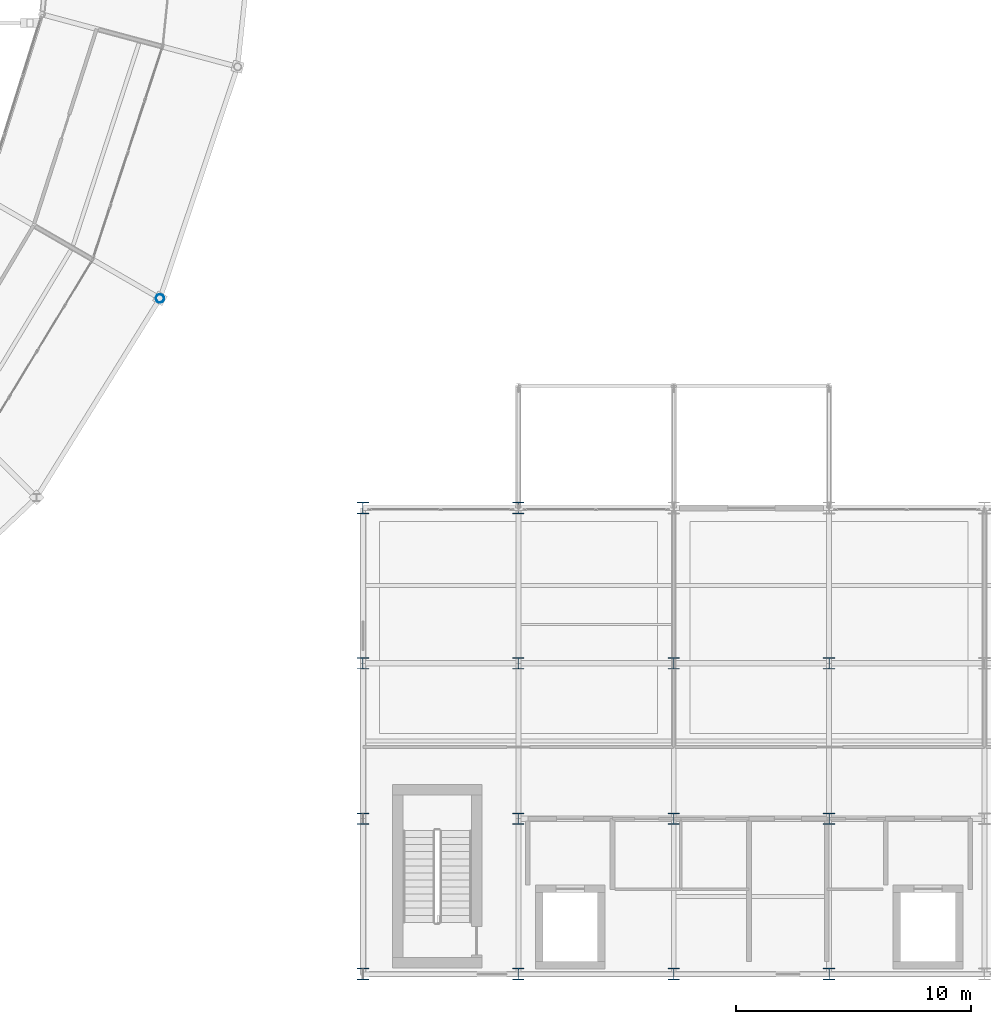
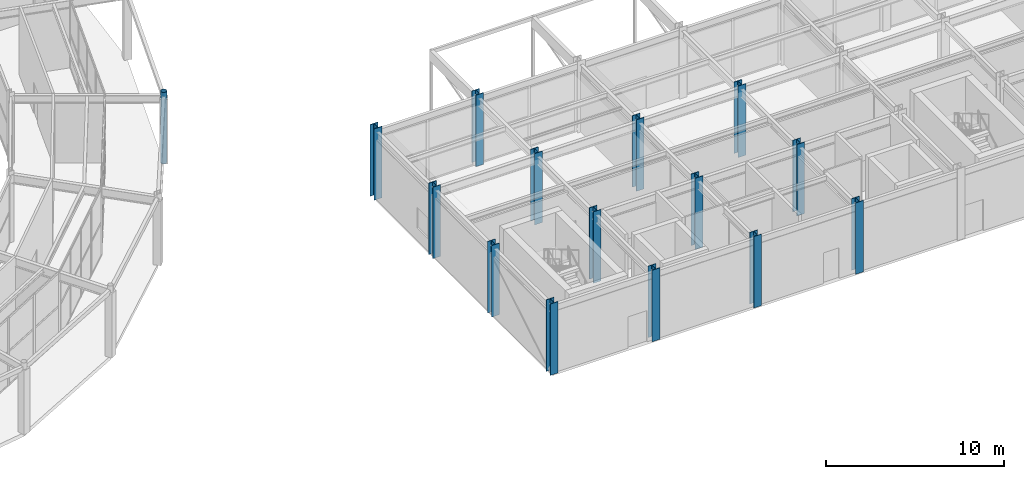
# One storey, part 7 of 144: 15 columns.
"""IFC4 building model written with IfcOpenShell, lengths in metres."""

from ifc_helpers import new_model, si_unit, direction, frame, origin, origin_2d, place, context, subcontext, project, spatial, hollow_circle, i_section, extrude, material, material_profile, profile_set, type_object, element, save


model = new_model("IFC4")

# Units and contexts
model_context = context("Model", 3, precision=1e-05, world=origin(), true_north=direction((0.0, 1.0)))
body_context = subcontext(model_context, "Body", "Model", "MODEL_VIEW")
ifc_project = project(units=[si_unit("LENGTHUNIT", "METRE"), si_unit("AREAUNIT", "SQUARE_METRE"), si_unit("VOLUMEUNIT", "CUBIC_METRE"), si_unit("PLANEANGLEUNIT", "RADIAN"), si_unit("MASSUNIT", "GRAM", prefix="KILO")], contexts=[model_context])

# Site, building, storey
site_placement = place(None, origin())
site = spatial("IfcSite", under=ifc_project, at=site_placement, CompositionType="ELEMENT")
building_placement = place(site_placement, origin())
building = spatial("IfcBuilding", under=site, at=building_placement, Name="Karori Crest Natural Sciences Institute", CompositionType="ELEMENT")
storey_placement = place(building_placement, origin())
storey = spatial("IfcBuildingStorey", under=building, at=storey_placement, Name="L00", CompositionType="ELEMENT", Elevation=0.0)

# Columns
ifc_material_1 = material(Name="Structural steel AS/NZS 3679.1 Grade 350", Category="steel")
ifc_material_profile_1 = material_profile(ifc_material_1, i_section(OverallWidth=0.5, OverallDepth=0.5, WebThickness=0.02197265625, FlangeThickness=0.0400390625, FilletRadius=0.01611328125, at=origin_2d()), Name="500WC440")
ifc_profile_set_1 = profile_set([ifc_material_profile_1], Name="Structural steel AS/NZS 3679.1 Grade 350")
column_type_1 = type_object("IfcColumnType", Name="CT-01", PredefinedType="COLUMN", material=ifc_profile_set_1)
for number, where, z_axis, x_axis, name in (
    (1, (110.199951171875, 7.39990234375, 0.0), (0.0, 0.0, 1.0), (1.0, 0.0, 0.0), "Column C-1078"),
    (2, (110.199951171875, 14.0, 0.0), (0.0, 0.0, 1.0), (1.0, 0.0, 0.0), "Column C-1090"),
    (3, (116.800048828125, 7.39990234375, 0.0), (0.0, 0.0, 1.0), (1.0, 0.0, 0.0), "Column C-1126"),
    (4, (116.800048828125, 14.0, 0.0), (0.0, 0.0, 1.0), (1.0, 0.0, 0.0), "Column C-1138"),
    (5, (123.39990234375, 7.39990234375, 0.0), (0.0, 0.0, 1.0), (1.0, 0.0, 0.0), "Column C-1174"),
    (6, (123.39990234375, 14.0, 0.0), (0.0, 0.0, 1.0), (1.0, 0.0, 0.0), "Column C-1186"),
):
    element("IfcColumn", number, at=place(storey_placement, frame(where, z_axis=z_axis, x_axis=x_axis)), inside=storey, type_object=column_type_1, Name=name, PredefinedType="COLUMN", context=body_context, shape_type="SweptSolid", body=[
        extrude(i_section(OverallWidth=0.5, OverallDepth=0.5, WebThickness=0.02197265625, FlangeThickness=0.0400390625, FilletRadius=0.01611328125, at=origin_2d()), origin(), (0.0, 0.0, 1.0), 4.89990234375),
    ])
ifc_material_profile_2 = material_profile(ifc_material_1, i_section(OverallWidth=0.5, OverallDepth=0.5, WebThickness=0.02197265625, FlangeThickness=0.0400390625, FilletRadius=0.01611328125, at=origin_2d()), Name="500WC440")
ifc_profile_set_2 = profile_set([ifc_material_profile_2], Name="Structural steel AS/NZS 3679.1 Grade 350")
column_type_2 = type_object("IfcColumnType", Name="CT-01-EL", PredefinedType="COLUMN", material=ifc_profile_set_2)
for number, where, z_axis, x_axis, name in (
    (7, (103.60009765625, 0.800048828125, 0.0), (0.0, 0.0, 1.0), (1.0, 0.0, 0.0), "Column C-1018"),
    (8, (103.60009765625, 7.39990234375, 0.0), (0.0, 0.0, 1.0), (1.0, 0.0, 0.0), "Column C-1030"),
    (9, (103.60009765625, 14.0, 0.0), (0.0, 0.0, 1.0), (1.0, 0.0, 0.0), "Column C-1042"),
    (10, (103.60009765625, 20.60009765625, 0.0), (0.0, 0.0, 1.0), (1.0, 0.0, 0.0), "Column C-1054"),
    (11, (110.199951171875, 0.800048828125, 0.0), (0.0, 0.0, 1.0), (1.0, 0.0, 0.0), "Column C-1066"),
    (12, (110.199951171875, 20.60009765625, 0.0), (0.0, 0.0, 1.0), (1.0, 0.0, 0.0), "Column C-1102"),
    (13, (116.800048828125, 0.800048828125, 0.0), (0.0, 0.0, 1.0), (1.0, 0.0, 0.0), "Column C-1114"),
    (14, (123.39990234375, 0.800048828125, 0.0), (0.0, 0.0, 1.0), (1.0, 0.0, 0.0), "Column C-1162"),
):
    element("IfcColumn", number, at=place(storey_placement, frame(where, z_axis=z_axis, x_axis=x_axis)), inside=storey, type_object=column_type_2, Name=name, PredefinedType="COLUMN", context=body_context, shape_type="SweptSolid", body=[
        extrude(i_section(OverallWidth=0.5, OverallDepth=0.5, WebThickness=0.02197265625, FlangeThickness=0.0400390625, FilletRadius=0.01611328125, at=origin_2d()), origin(), (0.0, 0.0, 1.0), 4.89990234375),
    ])
ifc_material_2 = material(Name="Hollow structural steel AS/NZS 1163 Grade C350", Category="steel")
ifc_material_profile_3 = material_profile(ifc_material_2, hollow_circle(Radius=0.177734375, WallThickness=0.0126953125, at=origin_2d()), Name="CHS355.6x12.7")
ifc_profile_set_3 = profile_set([ifc_material_profile_3], Name="Hollow structural steel AS/NZS 1163 Grade C350")
column_type_3 = type_object("IfcColumnType", Name="CT-14", PredefinedType="COLUMN", material=ifc_profile_set_3)
column_placement = place(storey_placement, frame((94.978759765625, 29.5, 0.0), z_axis=(0.0, 0.0, 1.0), x_axis=(1.0, 0.0, 0.0)))
element("IfcColumn", 15, at=column_placement, inside=storey, type_object=column_type_3, Name="Column C-0363", PredefinedType="COLUMN", context=body_context, shape_type="SweptSolid", body=[
    extrude(hollow_circle(Radius=0.177734375, WallThickness=0.0126953125, at=origin_2d()), origin(), (0.0, 0.0, 1.0), 4.89990234375),
])

save(model, "model.ifc")
